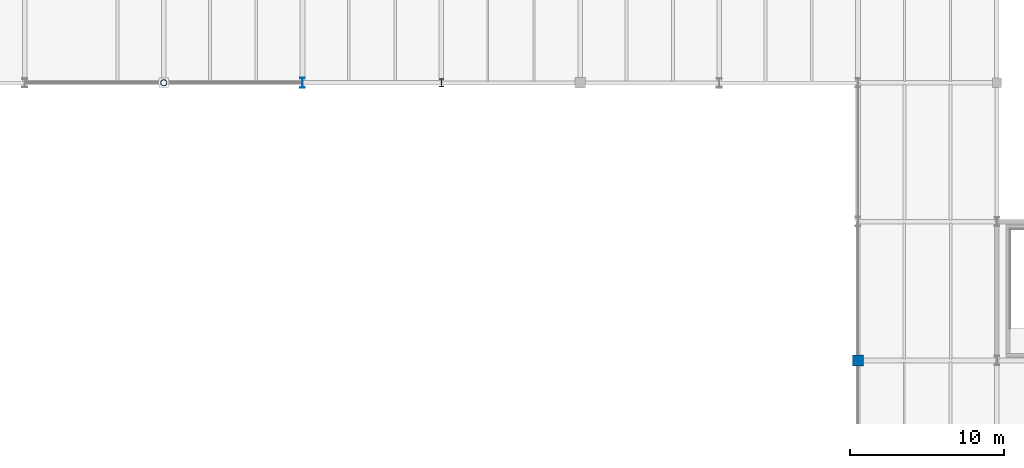
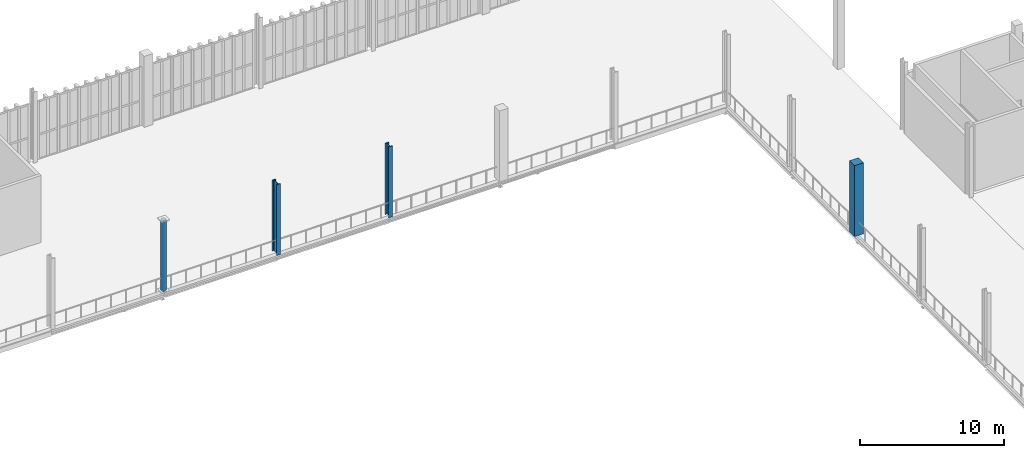
# One storey, part 11 of 211: 4 columns.
"""IFC4 building model written with IfcOpenShell, lengths in metres."""

from ifc_helpers import new_model, si_unit, direction, frame, origin, origin_2d, place, context, subcontext, project, spatial, rectangle, hollow_circle, i_section, extrude, material, material_profile, profile_set, type_object, element, save


model = new_model("IFC4")

# Units and contexts
model_context = context("Model", 3, precision=1e-05, world=origin(), true_north=direction((0.0, 1.0)))
body_context = subcontext(model_context, "Body", "Model", "MODEL_VIEW")
ifc_project = project(units=[si_unit("LENGTHUNIT", "METRE"), si_unit("AREAUNIT", "SQUARE_METRE"), si_unit("VOLUMEUNIT", "CUBIC_METRE"), si_unit("PLANEANGLEUNIT", "RADIAN"), si_unit("MASSUNIT", "GRAM", prefix="KILO")], contexts=[model_context])

# Site, building, storey
site_placement = place(None, origin())
site = spatial("IfcSite", under=ifc_project, at=site_placement, CompositionType="ELEMENT")
building_placement = place(site_placement, origin())
building = spatial("IfcBuilding", under=site, at=building_placement, Name="Barlavento Convention Centre", CompositionType="ELEMENT")
storey_placement = place(building_placement, frame((0.0, 0.0, 6.0)))
storey = spatial("IfcBuildingStorey", under=building, at=storey_placement, Name="L01", CompositionType="ELEMENT", Elevation=6.0)

# Columns
ifc_material_1 = material(Name="Steel S355", Category="steel")
ifc_material_profile_1 = material_profile(ifc_material_1, hollow_circle(Radius=0.203125, WallThickness=0.01611328125, at=origin_2d()), Name="CHS 406.4x16.0")
ifc_profile_set_1 = profile_set([ifc_material_profile_1], Name="Steel S355")
column_type_1 = type_object("IfcColumnType", Name="STR-COL-CHS406", PredefinedType="COLUMN", material=ifc_profile_set_1)
column_1_placement = place(storey_placement, frame((72.0, 117.0, 0.0), z_axis=(0.0, 0.0, 1.0), x_axis=(1.0, 0.0, 0.0)))
element("IfcColumn", 1, at=column_1_placement, inside=storey, type_object=column_type_1, Name="L01 column SC14", PredefinedType="COLUMN", context=body_context, shape_type="SweptSolid", body=[
    extrude(hollow_circle(Radius=0.203125, WallThickness=0.01611328125, at=origin_2d()), origin(), (0.0, 0.0, 1.0), 6.0),
])
ifc_material_profile_2 = material_profile(ifc_material_1, i_section(OverallWidth=0.305908203125, OverallDepth=0.52392578125, WebThickness=0.02099609375, FlangeThickness=0.0400390625, FilletRadius=0.027099609375, at=origin_2d()), Name="HEM 500")
ifc_profile_set_2 = profile_set([ifc_material_profile_2], Name="Steel S355")
column_type_2 = type_object("IfcColumnType", Name="STR-COL-HEM500", PredefinedType="COLUMN", material=ifc_profile_set_2)
column_2_placement = place(storey_placement, frame((90.0, 117.0, 0.0), z_axis=(0.0, 0.0, 1.0), x_axis=(1.0, 0.0, 0.0)))
element("IfcColumn", 2, at=column_2_placement, inside=storey, type_object=column_type_2, Name="L01 column SC07", PredefinedType="COLUMN", context=body_context, shape_type="SweptSolid", body=[
    extrude(i_section(OverallWidth=0.305908203125, OverallDepth=0.52392578125, WebThickness=0.02099609375, FlangeThickness=0.0400390625, FilletRadius=0.027099609375, at=origin_2d()), origin(), (0.0, 0.0, 1.0), 6.0),
])
ifc_material_2 = material(Name="Steel S460", Category="steel")
ifc_material_profile_3 = material_profile(ifc_material_2, i_section(OverallWidth=0.304931640625, OverallDepth=0.66796875, WebThickness=0.02099609375, FlangeThickness=0.0400390625, FilletRadius=0.027099609375, at=origin_2d()), Name="HEM 650")
ifc_profile_set_3 = profile_set([ifc_material_profile_3], Name="Steel S460")
column_type_3 = type_object("IfcColumnType", Name="STR-COL-HEM650", PredefinedType="COLUMN", material=ifc_profile_set_3)
column_3_placement = place(storey_placement, frame((81.0, 117.0, 0.0), z_axis=(0.0, 0.0, 1.0), x_axis=(1.0, 0.0, 0.0)))
element("IfcColumn", 3, at=column_3_placement, inside=storey, type_object=column_type_3, Name="L01 column SC04", PredefinedType="COLUMN", context=body_context, shape_type="SweptSolid", body=[
    extrude(i_section(OverallWidth=0.304931640625, OverallDepth=0.66796875, WebThickness=0.02099609375, FlangeThickness=0.0400390625, FilletRadius=0.027099609375, at=origin_2d()), origin(), (0.0, 0.0, 1.0), 6.0),
])
ifc_material_3 = material(Name="Concrete C40/50", Category="concrete")
ifc_material_profile_4 = material_profile(ifc_material_3, rectangle(XDim=0.699951171875, YDim=0.699951171875, at=origin_2d()), Name="RC 700x700")
ifc_profile_set_4 = profile_set([ifc_material_profile_4], Name="Concrete C40/50")
column_type_4 = type_object("IfcColumnType", Name="STR-COL-RC700", PredefinedType="COLUMN", material=ifc_profile_set_4)
column_4_placement = place(storey_placement, frame((117.0, 99.0, 0.0), z_axis=(0.0, 0.0, 1.0), x_axis=(1.0, 0.0, 0.0)))
element("IfcColumn", 4, at=column_4_placement, inside=storey, type_object=column_type_4, Name="L01 column CC06", PredefinedType="COLUMN", context=body_context, shape_type="SweptSolid", body=[
    extrude(rectangle(XDim=0.699951171875, YDim=0.699951171875, at=origin_2d()), origin(), (0.0, 0.0, 1.0), 6.0),
])

save(model, "model.ifc")
